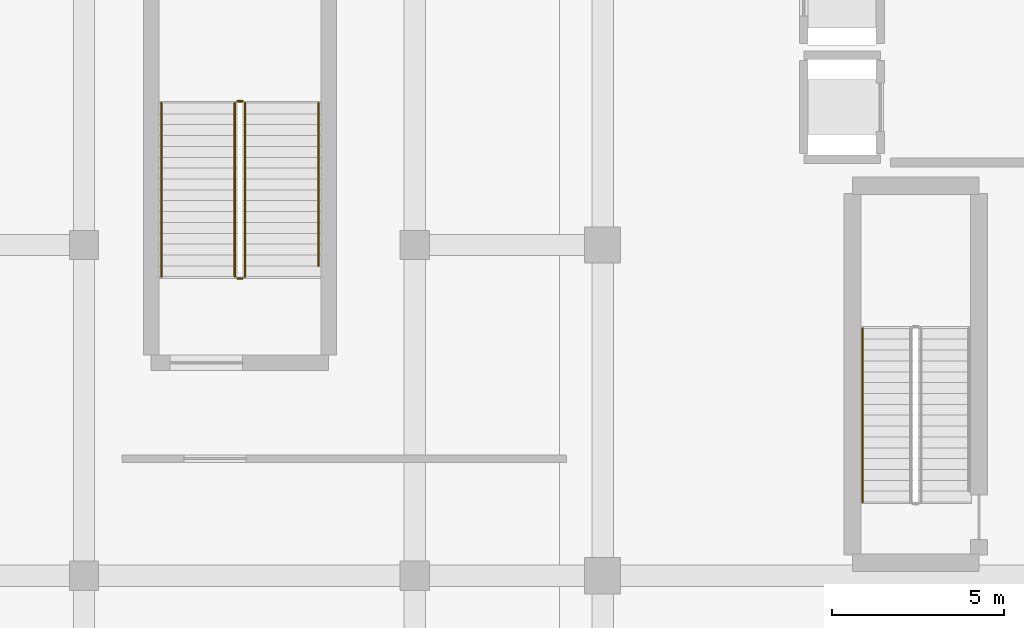
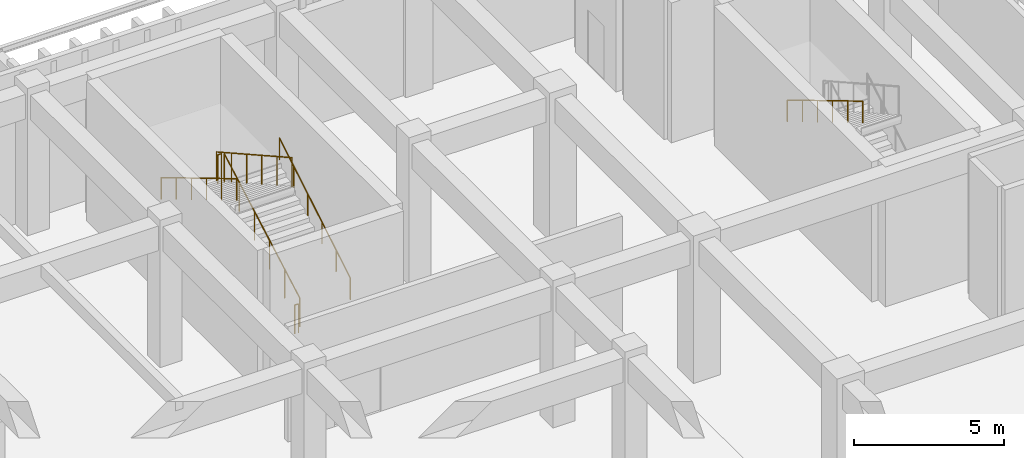
# One storey, part 79 of 87: 7 railings.
"""IFC4 building model written with IfcOpenShell, lengths in metres."""

from ifc_helpers import new_model, si_unit, direction, frame, origin, origin_2d, place, context, subcontext, project, spatial, circle, extrude, material, type_object, element, save


model = new_model("IFC4")

# Units and contexts
model_context = context("Model", 3, precision=1e-05, world=origin(), true_north=direction((0.0, 1.0)))
body_context = subcontext(model_context, "Body", "Model", "MODEL_VIEW")
ifc_project = project(units=[si_unit("LENGTHUNIT", "METRE"), si_unit("AREAUNIT", "SQUARE_METRE"), si_unit("VOLUMEUNIT", "CUBIC_METRE"), si_unit("PLANEANGLEUNIT", "RADIAN"), si_unit("MASSUNIT", "GRAM", prefix="KILO")], contexts=[model_context])

# Site, building, storey
site_placement = place(None, origin())
site = spatial("IfcSite", under=ifc_project, at=site_placement, CompositionType="ELEMENT")
building_placement = place(site_placement, origin())
building = spatial("IfcBuilding", under=site, at=building_placement, Name="Nakhvara Creek Congress Hotel", CompositionType="ELEMENT")
storey_placement = place(building_placement, origin())
storey = spatial("IfcBuildingStorey", under=building, at=storey_placement, Name="L00", CompositionType="ELEMENT", Elevation=0.0)

# Railings
ifc_material = material(Name="Brushed stainless steel 316L", Category="steel")
railing_type_1 = type_object("IfcRailingType", Name="RL-GUARD-1200", PredefinedType="GUARDRAIL", material=ifc_material)
railing_1_placement = place(storey_placement, frame((139.074951171875, 85.47998046875, 0.176513671875)))
element("IfcRailing", 1, at=railing_1_placement, inside=storey, type_object=railing_type_1, Name="L00 ST10 stair guard 1", PredefinedType="GUARDRAIL", context=body_context, shape_type="SweptSolid", body=[
    extrude(circle(Radius=0.02392578125, at=origin_2d()), frame((0.0, 0.012939453125, 1.18310546875), z_axis=(0.0, 0.872427454555, 0.488743630688), x_axis=(-1.0, 0.0, 0.0)), (0.0, 0.0, 1.0), 5.74755859375),
    extrude(circle(Radius=0.02099609375, at=origin_2d()), origin(), (0.0, 0.0, 1.0), 1.1806640625),
    extrude(circle(Radius=0.02099609375, at=origin_2d()), frame((0.0, 1.008056640625, 0.564697265625)), (0.0, 0.0, 1.0), 1.1806640625),
    extrude(circle(Radius=0.02099609375, at=origin_2d()), frame((0.0, 2.01611328125, 1.12939453125)), (0.0, 0.0, 1.0), 1.1806640625),
    extrude(circle(Radius=0.02099609375, at=origin_2d()), frame((0.0, 3.02392578125, 1.694091796875)), (0.0, 0.0, 1.0), 1.1806640625),
    extrude(circle(Radius=0.02099609375, at=origin_2d()), frame((0.0, 4.031982421875, 2.2587890625)), (0.0, 0.0, 1.0), 1.1806640625),
    extrude(circle(Radius=0.02099609375, at=origin_2d()), frame((0.0, 5.0400390625, 2.823486328125)), (0.0, 0.0, 1.0), 1.1806640625),
])
railing_2_placement = place(storey_placement, frame((139.0, 90.570068359375, 3.0)))
element("IfcRailing", 2, at=railing_2_placement, inside=storey, type_object=railing_type_1, Name="L00 ST10 stair guard 2", PredefinedType="GUARDRAIL", context=body_context, shape_type="SweptSolid", body=[
    extrude(circle(Radius=0.02392578125, at=origin_2d()), frame((-0.0146484375, 0.0, 1.17578125), z_axis=(-1.0, 0.0, 0.0), x_axis=(0.0, -1.0, 0.0)), (0.0, 0.0, 1.0), 0.12060546875),
    extrude(circle(Radius=0.02099609375, at=origin_2d()), origin(), (0.0, 0.0, 1.0), 1.1806640625),
    extrude(circle(Radius=0.02099609375, at=origin_2d()), frame((-0.14990234375, 0.0, 0.0)), (0.0, 0.0, 1.0), 1.1806640625),
])
railing_3_placement = place(storey_placement, frame((138.77490234375, 90.52001953125, 3.176513671875)))
element("IfcRailing", 3, at=railing_3_placement, inside=storey, type_object=railing_type_1, Name="L00 ST10 stair guard 3", PredefinedType="GUARDRAIL", context=body_context, shape_type="SweptSolid", body=[
    extrude(circle(Radius=0.02392578125, at=origin_2d()), frame((0.0, -0.012939453125, 1.18310546875), z_axis=(0.0, -0.872427454555, 0.488743630688), x_axis=(1.0, 0.0, 0.0)), (0.0, 0.0, 1.0), 5.74755859375),
    extrude(circle(Radius=0.02099609375, at=origin_2d()), origin(), (0.0, 0.0, 1.0), 1.1806640625),
    extrude(circle(Radius=0.02099609375, at=origin_2d()), frame((0.0, -1.008056640625, 0.564697265625)), (0.0, 0.0, 1.0), 1.1806640625),
    extrude(circle(Radius=0.02099609375, at=origin_2d()), frame((0.0, -2.01611328125, 1.12939453125)), (0.0, 0.0, 1.0), 1.1806640625),
    extrude(circle(Radius=0.02099609375, at=origin_2d()), frame((0.0, -3.02392578125, 1.694091796875)), (0.0, 0.0, 1.0), 1.1806640625),
    extrude(circle(Radius=0.02099609375, at=origin_2d()), frame((0.0, -4.031982421875, 2.2587890625)), (0.0, 0.0, 1.0), 1.1806640625),
    extrude(circle(Radius=0.02099609375, at=origin_2d()), frame((0.0, -5.0400390625, 2.823486328125)), (0.0, 0.0, 1.0), 1.1806640625),
])
railing_4_placement = place(storey_placement, frame((139.0, 85.429931640625, 0.0)))
element("IfcRailing", 4, at=railing_4_placement, inside=storey, type_object=railing_type_1, Name="L00 ST10 stair guard 4", PredefinedType="GUARDRAIL", context=body_context, shape_type="SweptSolid", body=[
    extrude(circle(Radius=0.02392578125, at=origin_2d()), frame((-0.0146484375, 0.0, 1.17578125), z_axis=(-1.0, 0.0, 0.0), x_axis=(0.0, -1.0, 0.0)), (0.0, 0.0, 1.0), 0.12060546875),
    extrude(circle(Radius=0.02099609375, at=origin_2d()), origin(), (0.0, 0.0, 1.0), 1.1806640625),
    extrude(circle(Radius=0.02099609375, at=origin_2d()), frame((-0.14990234375, 0.0, 0.0)), (0.0, 0.0, 1.0), 1.1806640625),
])
railing_type_2 = type_object("IfcRailingType", Name="RL-HAND-900", PredefinedType="HANDRAIL", material=ifc_material)
railing_5_placement = place(storey_placement, frame((156.9951171875, 83.97998046875, 3.176513671875)))
element("IfcRailing", 5, at=railing_5_placement, inside=storey, type_object=railing_type_2, Name="L00 ST01 stair handrail 2", PredefinedType="HANDRAIL", context=body_context, shape_type="SweptSolid", body=[
    extrude(circle(Radius=0.02392578125, at=origin_2d()), frame((0.0, -0.0126953125, 0.88330078125), z_axis=(0.0, -0.858471053773, 0.512862018319), x_axis=(1.0, 0.0, 0.0)), (0.0, 0.0, 1.0), 5.841552734375),
    extrude(circle(Radius=0.02099609375, at=origin_2d()), origin(), (0.0, 0.0, 1.0), 0.880615234375),
    extrude(circle(Radius=0.02099609375, at=origin_2d()), frame((0.0, -1.008056640625, 0.602294921875)), (0.0, 0.0, 1.0), 0.880615234375),
    extrude(circle(Radius=0.02099609375, at=origin_2d()), frame((0.0, -2.01611328125, 1.204345703125)), (0.0, 0.0, 1.0), 0.880615234375),
    extrude(circle(Radius=0.02099609375, at=origin_2d()), frame((0.0, -3.02392578125, 1.806640625)), (0.0, 0.0, 1.0), 0.880615234375),
    extrude(circle(Radius=0.02099609375, at=origin_2d()), frame((0.0, -4.031982421875, 2.40869140625)), (0.0, 0.0, 1.0), 0.880615234375),
    extrude(circle(Radius=0.02099609375, at=origin_2d()), frame((0.0, -5.0400390625, 3.010986328125)), (0.0, 0.0, 1.0), 0.880615234375),
])
railing_6_placement = place(storey_placement, frame((141.205078125, 85.794921875, 0.35302734375)))
element("IfcRailing", 6, at=railing_6_placement, inside=storey, type_object=railing_type_2, Name="L00 ST10 stair handrail 1", PredefinedType="HANDRAIL", context=body_context, shape_type="SweptSolid", body=[
    extrude(circle(Radius=0.02392578125, at=origin_2d()), frame((0.0, 0.0126953125, 0.88330078125), z_axis=(0.0, 0.857539836654, 0.514417562445), x_axis=(-1.0, 0.0, 0.0)), (0.0, 0.0, 1.0), 5.480712890625),
    extrude(circle(Radius=0.02099609375, at=origin_2d()), origin(), (0.0, 0.0, 1.0), 0.880615234375),
    extrude(circle(Radius=0.02099609375, at=origin_2d()), frame((0.0, 0.945068359375, 0.56689453125)), (0.0, 0.0, 1.0), 0.880615234375),
    extrude(circle(Radius=0.02099609375, at=origin_2d()), frame((0.0, 1.89013671875, 1.1337890625)), (0.0, 0.0, 1.0), 0.880615234375),
    extrude(circle(Radius=0.02099609375, at=origin_2d()), frame((0.0, 2.8349609375, 1.70068359375)), (0.0, 0.0, 1.0), 0.880615234375),
    extrude(circle(Radius=0.02099609375, at=origin_2d()), frame((0.0, 3.780029296875, 2.267578125)), (0.0, 0.0, 1.0), 0.880615234375),
    extrude(circle(Radius=0.02099609375, at=origin_2d()), frame((0.0, 4.72509765625, 2.83447265625)), (0.0, 0.0, 1.0), 0.880615234375),
])
railing_7_placement = place(storey_placement, frame((136.64501953125, 90.52001953125, 3.176513671875)))
element("IfcRailing", 7, at=railing_7_placement, inside=storey, type_object=railing_type_2, Name="L00 ST10 stair handrail 2", PredefinedType="HANDRAIL", context=body_context, shape_type="SweptSolid", body=[
    extrude(circle(Radius=0.02392578125, at=origin_2d()), frame((0.0, -0.0126953125, 0.88330078125), z_axis=(0.0, -0.858471053773, 0.512862018319), x_axis=(1.0, 0.0, 0.0)), (0.0, 0.0, 1.0), 5.841552734375),
    extrude(circle(Radius=0.02099609375, at=origin_2d()), origin(), (0.0, 0.0, 1.0), 0.880615234375),
    extrude(circle(Radius=0.02099609375, at=origin_2d()), frame((0.0, -1.008056640625, 0.602294921875)), (0.0, 0.0, 1.0), 0.880615234375),
    extrude(circle(Radius=0.02099609375, at=origin_2d()), frame((0.0, -2.01611328125, 1.204345703125)), (0.0, 0.0, 1.0), 0.880615234375),
    extrude(circle(Radius=0.02099609375, at=origin_2d()), frame((0.0, -3.02392578125, 1.806640625)), (0.0, 0.0, 1.0), 0.880615234375),
    extrude(circle(Radius=0.02099609375, at=origin_2d()), frame((0.0, -4.031982421875, 2.40869140625)), (0.0, 0.0, 1.0), 0.880615234375),
    extrude(circle(Radius=0.02099609375, at=origin_2d()), frame((0.0, -5.0400390625, 3.010986328125)), (0.0, 0.0, 1.0), 0.880615234375),
])

save(model, "model.ifc")
